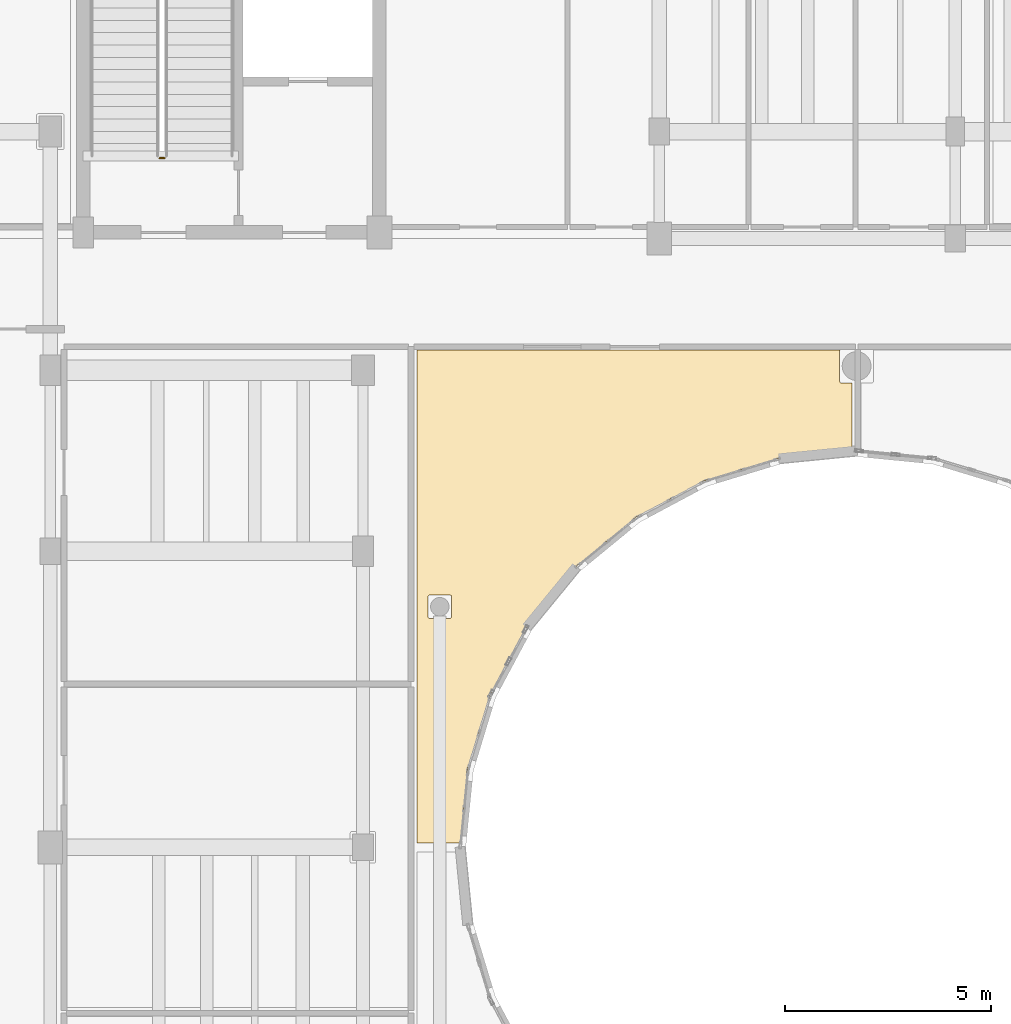
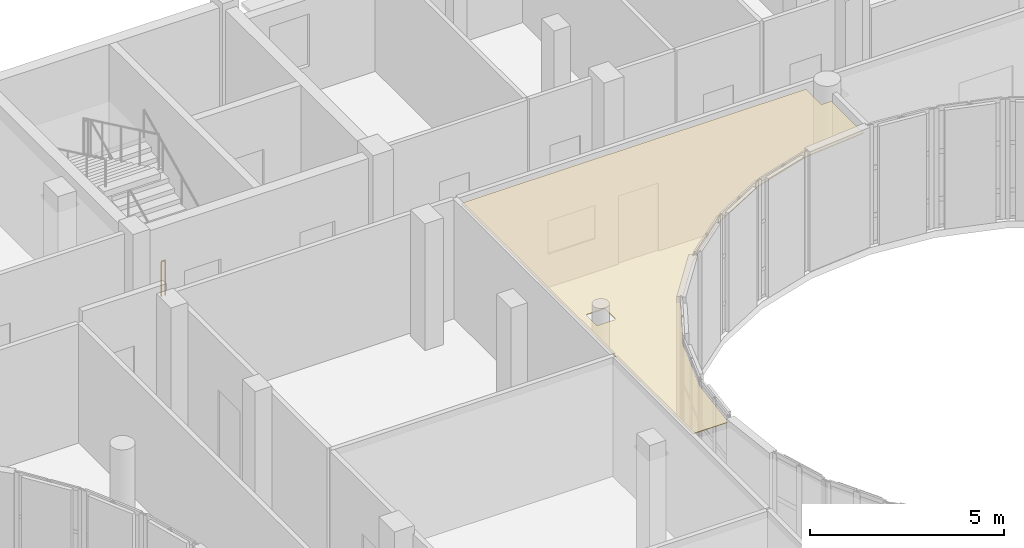
# One storey, part 83 of 89: 1 covering, 1 railing.
"""IFC4 building model written with IfcOpenShell, lengths in metres."""

from ifc_helpers import new_model, si_unit, direction, frame, origin, origin_2d, place, context, subcontext, project, spatial, polyline, circle, outline, extrude, material, layer, layer_set, type_object, element, save


model = new_model("IFC4")

# Units and contexts
model_context = context("Model", 3, precision=1e-05, world=origin(), true_north=direction((0.0, 1.0)))
body_context = subcontext(model_context, "Body", "Model", "MODEL_VIEW")
ifc_project = project(units=[si_unit("LENGTHUNIT", "METRE"), si_unit("AREAUNIT", "SQUARE_METRE"), si_unit("VOLUMEUNIT", "CUBIC_METRE"), si_unit("PLANEANGLEUNIT", "RADIAN"), si_unit("MASSUNIT", "GRAM", prefix="KILO")], contexts=[model_context])

# Site, building, storey
site_placement = place(None, origin())
site = spatial("IfcSite", under=ifc_project, at=site_placement, CompositionType="ELEMENT")
building_placement = place(site_placement, origin())
building = spatial("IfcBuilding", under=site, at=building_placement, Name="Kelanivale Promenade Academy", CompositionType="ELEMENT")
storey_placement = place(building_placement, frame((0.0, 0.0, 12.199951171875)))
storey = spatial("IfcBuildingStorey", under=building, at=storey_placement, Name="L03", CompositionType="ELEMENT", Elevation=12.199951171875)

# Covering
ifc_material_1 = material(Name="Acoustic mineral-fibre ceiling tile 25 mm", Category="gypsum")
ifc_layer = layer(ifc_material_1, 0.02490234375)
ifc_layer_set = layer_set([ifc_layer], Name="Acoustic mineral-fibre ceiling tile 25 mm")
covering_type = type_object("IfcCoveringType", Name="COV-CLG1 Acoustic mineral-fibre ceiling tile ", PredefinedType="CEILING", material=ifc_layer_set)
covering_placement = place(storey_placement, frame((0.0, 0.0, 3.550048828125)))
element("IfcCovering", 1, at=covering_placement, inside=storey, type_object=covering_type, Name="Art Studio Courtyard East-North acoustic suspended ceiling", PredefinedType="CEILING", context=body_context, shape_type="SweptSolid", body=[
    extrude(outline(polyline([(91.962890625, 63.610107421875), (91.968017578125, 63.615966796875), (91.98388671875, 63.632080078125), (91.989990234375, 63.636962890625), (93.423095703125, 64.81201171875), (93.425048828125, 64.81298828125), (93.43408203125, 64.820068359375), (93.44189453125, 64.825927734375), (93.451904296875, 64.83203125), (93.455078125, 64.833984375), (95.090087890625, 65.70703125), (95.092041015625, 65.7080078125), (95.10205078125, 65.712890625), (95.111083984375, 65.716064453125), (95.1220703125, 65.719970703125), (95.1259765625, 65.721923828125), (96.89892578125, 66.260009765625), (96.907958984375, 66.261962890625), (96.9189453125, 66.263916015625), (96.919921875, 66.263916015625), (96.931884765625, 66.26611328125), (96.93701171875, 66.26708984375), (98.68994140625, 66.43896484375), (98.68994140625, 68.090087890625), (98.429931640625, 68.090087890625), (98.426025390625, 68.090087890625), (98.422119140625, 68.091064453125), (98.41796875, 68.092041015625), (98.4150390625, 68.093017578125), (98.410888671875, 68.094970703125), (98.407958984375, 68.096923828125), (98.405029296875, 68.09912109375), (98.402099609375, 68.10205078125), (98.39892578125, 68.10498046875), (98.39697265625, 68.10791015625), (98.39501953125, 68.111083984375), (98.39306640625, 68.114990234375), (98.39208984375, 68.117919921875), (98.39111328125, 68.1220703125), (98.389892578125, 68.1259765625), (98.389892578125, 68.1298828125), (98.389892578125, 68.8701171875), (98.389892578125, 68.8740234375), (98.39111328125, 68.8779296875), (98.39208984375, 68.882080078125), (98.39306640625, 68.885009765625), (98.39501953125, 68.888916015625), (98.39501953125, 68.889892578125), (88.110107421875, 68.889892578125), (88.110107421875, 56.909912109375), (89.160888671875, 56.909912109375), (89.3330078125, 58.6630859375), (89.333984375, 58.66796875), (89.3359375, 58.679931640625), (89.3359375, 58.680908203125), (89.337890625, 58.69189453125), (89.340087890625, 58.700927734375), (89.8779296875, 60.47412109375), (89.8798828125, 60.47802734375), (89.884033203125, 60.489013671875), (89.886962890625, 60.498046875), (89.89208984375, 60.508056640625), (89.89306640625, 60.510009765625), (90.76611328125, 62.14501953125), (90.76806640625, 62.14794921875), (90.77392578125, 62.157958984375), (90.780029296875, 62.166015625), (90.787109375, 62.175048828125), (90.7880859375, 62.177001953125), (91.962890625, 63.610107421875)]), holes=[polyline([(88.9130859375, 62.93505859375), (88.9169921875, 62.93505859375), (88.9208984375, 62.93408203125), (88.925048828125, 62.93310546875), (88.927978515625, 62.931884765625), (88.931884765625, 62.929931640625), (88.93505859375, 62.927978515625), (88.93798828125, 62.926025390625), (88.94091796875, 62.923095703125), (88.944091796875, 62.919921875), (88.946044921875, 62.9169921875), (88.947998046875, 62.9140625), (88.949951171875, 62.909912109375), (88.950927734375, 62.906982421875), (88.951904296875, 62.903076171875), (88.952880859375, 62.89892578125), (88.952880859375, 62.89501953125), (88.952880859375, 62.405029296875), (88.952880859375, 62.40087890625), (88.951904296875, 62.39697265625), (88.950927734375, 62.39306640625), (88.949951171875, 62.389892578125), (88.947998046875, 62.385986328125), (88.946044921875, 62.383056640625), (88.944091796875, 62.3798828125), (88.94091796875, 62.376953125), (88.93798828125, 62.3740234375), (88.93505859375, 62.3720703125), (88.931884765625, 62.3701171875), (88.927978515625, 62.367919921875), (88.925048828125, 62.366943359375), (88.9208984375, 62.365966796875), (88.9169921875, 62.364990234375), (88.9130859375, 62.364990234375), (88.423095703125, 62.364990234375), (88.4189453125, 62.364990234375), (88.4150390625, 62.365966796875), (88.410888671875, 62.366943359375), (88.407958984375, 62.367919921875), (88.404052734375, 62.3701171875), (88.40087890625, 62.3720703125), (88.39794921875, 62.3740234375), (88.39501953125, 62.376953125), (88.39208984375, 62.3798828125), (88.389892578125, 62.383056640625), (88.387939453125, 62.385986328125), (88.385986328125, 62.389892578125), (88.385009765625, 62.39306640625), (88.384033203125, 62.39697265625), (88.383056640625, 62.40087890625), (88.383056640625, 62.405029296875), (88.383056640625, 62.89501953125), (88.383056640625, 62.89892578125), (88.384033203125, 62.903076171875), (88.385009765625, 62.906982421875), (88.385986328125, 62.909912109375), (88.387939453125, 62.9140625), (88.389892578125, 62.9169921875), (88.39208984375, 62.919921875), (88.39501953125, 62.923095703125), (88.39794921875, 62.926025390625), (88.40087890625, 62.927978515625), (88.404052734375, 62.929931640625), (88.407958984375, 62.931884765625), (88.410888671875, 62.93310546875), (88.4150390625, 62.93408203125), (88.4189453125, 62.93505859375), (88.423095703125, 62.93505859375), (88.9130859375, 62.93505859375)])]), origin(), (0.0, 0.0, 1.0), 0.02490234375),
])

# Railing
ifc_material_2 = material(Name="Brushed stainless steel grade 316", Category="steel")
railing_type = type_object("IfcRailingType", Name="GR-01 Stair Guard 1100mm", PredefinedType="BALUSTRADE", material=ifc_material_2)
railing_placement = place(storey_placement, frame((81.97509765625, 73.554931640625, 0.0)))
element("IfcRailing", 2, at=railing_placement, inside=storey, type_object=railing_type, Name="L03 ST-02 stair guard 4", PredefinedType="BALUSTRADE", context=body_context, shape_type="SweptSolid", body=[
    extrude(circle(Radius=0.02392578125, at=origin_2d()), frame((0.0, 0.0, 1.09619140625), z_axis=(-1.0, 0.0, 0.0), x_axis=(0.0, -1.0, 0.0)), (0.0, 0.0, 1.0), 0.1201171875),
    extrude(circle(Radius=0.02099609375, at=origin_2d()), origin(), (0.0, 0.0, 1.0), 1.072021484375),
    extrude(circle(Radius=0.02099609375, at=origin_2d()), frame((-0.1201171875, 0.0, 0.0)), (0.0, 0.0, 1.0), 1.072021484375),
])

save(model, "model.ifc")
